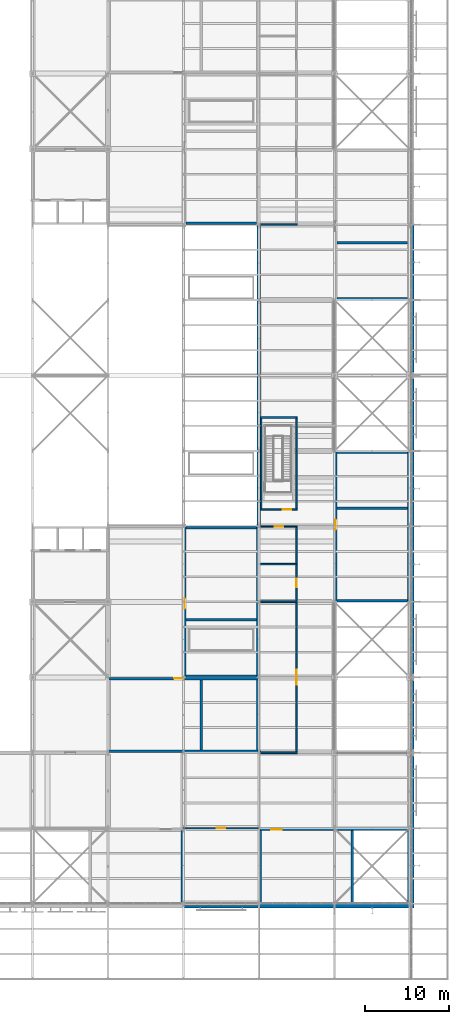
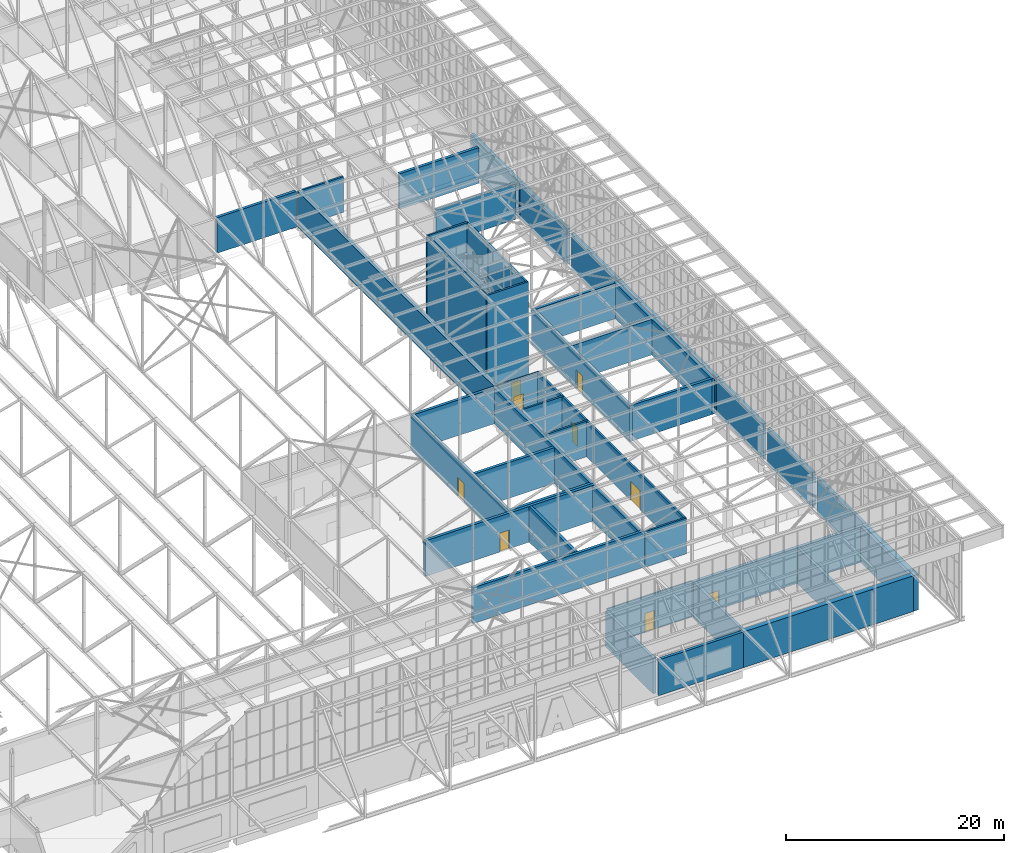
# One storey, part 172 of 646: 48 walls, 9 doors, 9 openings.
"""IFC4 building model written with IfcOpenShell, lengths in metres."""

from ifc_helpers import new_model, si_unit, direction, frame, frame_2d, origin, place, context, subcontext, project, spatial, rectangle, extrude, material, layer, layer_set, type_object, element, fill, save


model = new_model("IFC4")

# Units and contexts
model_context = context("Model", 3, precision=1e-05, world=origin(), true_north=direction((0.0, 1.0)))
body_context = subcontext(model_context, "Body", "Model", "MODEL_VIEW")
ifc_project = project(units=[si_unit("LENGTHUNIT", "METRE"), si_unit("AREAUNIT", "SQUARE_METRE"), si_unit("VOLUMEUNIT", "CUBIC_METRE"), si_unit("PLANEANGLEUNIT", "RADIAN"), si_unit("MASSUNIT", "GRAM", prefix="KILO")], contexts=[model_context])

# Site, building, storey
site_placement = place(None, origin())
site = spatial("IfcSite", under=ifc_project, at=site_placement, CompositionType="ELEMENT")
building_placement = place(site_placement, origin())
building = spatial("IfcBuilding", under=site, at=building_placement, Name="Silverbay Arena", CompositionType="ELEMENT")
storey_placement = place(building_placement, frame((0.0, 0.0, 33.5)))
storey = spatial("IfcBuildingStorey", under=building, at=storey_placement, Name="L05", CompositionType="ELEMENT", Elevation=33.5)

# Walls
ifc_material_1 = material(Name="Anodised aluminium cladding on insulated backing", Category="aluminium")
ifc_layer_1 = layer(ifc_material_1, 0.300048828125)
ifc_layer_set_1 = layer_set([ifc_layer_1], Name="Anodised aluminium cladding on insulated backing")
wall_type_1 = type_object("IfcWallType", Name="Aluminium clad wall 300", PredefinedType="SOLIDWALL", material=ifc_layer_set_1)
wall_1_placement = place(storey_placement, frame((180.0, 17.64990234375, 0.0), z_axis=(0.0, 0.0, 1.0), x_axis=(1.0, 0.0, 0.0)))
element("IfcWall", 1, at=wall_1_placement, inside=storey, type_object=wall_type_1, Name="South external wall L05 bay 15", PredefinedType="SOLIDWALL", context=body_context, shape_type="SweptSolid", body=[
    extrude(rectangle(XDim=9.0, YDim=0.300048828125, at=frame_2d((4.5, 0.0))), origin(), (0.0, 0.0, 1.0), 4.0),
])
wall_2_placement = place(storey_placement, frame((207.35009765625, 27.0, 0.0), z_axis=(0.0, 0.0, 1.0), x_axis=(0.0, 1.0, 0.0)))
element("IfcWall", 2, at=wall_2_placement, inside=storey, type_object=wall_type_1, Name="East external wall L05 bay 2", PredefinedType="SOLIDWALL", context=body_context, shape_type="SweptSolid", body=[
    extrude(rectangle(XDim=8.60009765625, YDim=0.300048828125, at=frame_2d((4.300048828125, 0.0))), origin(), (0.0, 0.0, 1.0), 4.0),
])
wall_3_placement = place(storey_placement, frame((207.35009765625, 36.39990234375, 0.0), z_axis=(0.0, 0.0, 1.0), x_axis=(0.0, 1.0, 0.0)))
element("IfcWall", 3, at=wall_3_placement, inside=storey, type_object=wall_type_1, Name="East external wall L05 bay 3", PredefinedType="SOLIDWALL", context=body_context, shape_type="SweptSolid", body=[
    extrude(rectangle(XDim=8.2001953125, YDim=0.300048828125, at=frame_2d((4.10009765625, 0.0))), origin(), (0.0, 0.0, 1.0), 4.0),
])
for number, where, z_axis, x_axis, name in (
    (4, (207.35009765625, 45.39990234375, 0.0), (0.0, 0.0, 1.0), (0.0, 1.0, 0.0), "East external wall L05 bay 4"),
    (5, (207.35009765625, 72.0, 0.0), (0.0, 0.0, 1.0), (0.0, 1.0, 0.0), "East external wall L05 bay 7"),
    (6, (207.35009765625, 81.39990234375, 0.0), (0.0, 0.0, 1.0), (0.0, 1.0, 0.0), "East external wall L05 bay 8"),
):
    element("IfcWall", number, at=place(storey_placement, frame(where, z_axis=z_axis, x_axis=x_axis)), inside=storey, type_object=wall_type_1, Name=name, PredefinedType="SOLIDWALL", context=body_context, shape_type="SweptSolid", body=[
        extrude(rectangle(XDim=8.60009765625, YDim=0.300048828125, at=frame_2d((4.300048828125, 0.0))), origin(), (0.0, 0.0, 1.0), 4.0),
    ])
ifc_material_2 = material(Name="Concrete Grade C45", Category="concrete")
ifc_layer_2 = layer(ifc_material_2, 0.300048828125)
ifc_layer_set_2 = layer_set([ifc_layer_2], Name="Concrete Grade C45")
wall_type_2 = type_object("IfcWallType", Name="Core wall RC 300 EI 120", PredefinedType="SHEAR", material=ifc_layer_set_2)
wall_4_placement = place(storey_placement, frame((179.85009765625, 26.699951171875, 0.0), z_axis=(0.0, 0.0, 1.0), x_axis=(0.0, -1.0, 0.0)))
element("IfcWall", 7, at=wall_4_placement, inside=storey, type_object=wall_type_2, Name="Core wall ST-S4 L05 end 1", PredefinedType="SHEAR", context=body_context, shape_type="SweptSolid", body=[
    extrude(rectangle(XDim=8.699951171875, YDim=0.300048828125, at=frame_2d((4.35009765625, 0.0))), origin(), (0.0, 0.0, 1.0), 4.0),
])

# Wall, opening, door
wall_5_placement = place(storey_placement, frame((189.0, 26.85009765625, 0.0), z_axis=(0.0, 0.0, 1.0), x_axis=(1.0, 0.0, 0.0)))
wall_5 = element("IfcWall", 8, at=wall_5_placement, inside=storey, type_object=wall_type_2, Name="Core wall ST-S6 L05 door side", PredefinedType="SHEAR", context=body_context, shape_type="SweptSolid", body=[
    extrude(rectangle(XDim=18.0, YDim=0.300048828125, at=frame_2d((9.0, 0.0))), origin(), (0.0, 0.0, 1.0), 4.0),
])
opening_1_placement = place(wall_5_placement, frame((1.5, 0.0, 0.0)))
opening_1 = element("IfcOpeningElement", 9, at=opening_1_placement, cuts=wall_5, Name="Opening L05-036", PredefinedType="OPENING", context=body_context, shape_type="SweptSolid", body=[
    extrude(rectangle(XDim=1.199951171875, YDim=2.10009765625, at=frame_2d((0.60009765625, 1.050048828125))), frame((0.0, 0.16015625, 0.0), z_axis=(0.0, -1.0, 0.0), x_axis=(1.0, 0.0, 0.0)), (0.0, 0.0, 1.0), 0.320068359375),
])
ifc_material_3 = material(Name="Steel fire door", Category="steel")
door_type_1 = type_object("IfcDoorType", Name="Stair door 1200 x 2100 fire door", OperationType="SINGLE_SWING_LEFT", PredefinedType="DOOR", material=ifc_material_3)
door_1_placement = place(opening_1_placement, frame((1.199951171875, 0.0, 0.0), z_axis=(0.0, 0.0, 1.0), x_axis=(-1.0, 0.0, 0.0)))
door_1 = element("IfcDoor", 10, at=door_1_placement, inside=storey, type_object=door_type_1, Name="Stair door ST-S6 L05", OperationType="SINGLE_SWING_RIGHT", OverallHeight=2.10009765625, OverallWidth=1.199951171875, PredefinedType="DOOR", context=body_context, shape_type="SweptSolid", body=[
    extrude(rectangle(XDim=1.199951171875, YDim=2.10009765625, at=frame_2d((0.60009765625, 1.050048828125))), frame((0.0, 0.02490234375, 0.0), z_axis=(0.0, -1.0, 0.0), x_axis=(1.0, 0.0, 0.0)), (0.0, 0.0, 1.0), 0.050048828125),
])
fill(opening_1, door_1)

# Walls
for number, where, z_axis, x_axis, name in (
    (11, (189.14990234375, 26.699951171875, 0.0), (0.0, 0.0, 1.0), (0.0, -1.0, 0.0), "Core wall ST-S6 L05 end 1"),
    (12, (206.85009765625, 26.699951171875, 0.0), (0.0, 0.0, 1.0), (0.0, -1.0, 0.0), "Core wall ST-S6 L05 end 2"),
    (13, (200.14990234375, 26.699951171875, 0.0), (0.0, 0.0, 1.0), (0.0, -1.0, 0.0), "Core wall ST-S6 L05 stair enclosure"),
):
    element("IfcWall", number, at=place(storey_placement, frame(where, z_axis=z_axis, x_axis=x_axis)), inside=storey, type_object=wall_type_2, Name=name, PredefinedType="SHEAR", context=body_context, shape_type="SweptSolid", body=[
        extrude(rectangle(XDim=8.699951171875, YDim=0.300048828125, at=frame_2d((4.35009765625, 0.0))), origin(), (0.0, 0.0, 1.0), 4.0),
    ])

# Wall, opening, door
wall_6_placement = place(storey_placement, frame((198.14990234375, 54.0, 0.0), z_axis=(0.0, 0.0, 1.0), x_axis=(0.0, 1.0, 0.0)))
wall_6 = element("IfcWall", 14, at=wall_6_placement, inside=storey, type_object=wall_type_2, Name="Core wall ST-E1 L05 door side", PredefinedType="SHEAR", context=body_context, shape_type="SweptSolid", body=[
    extrude(rectangle(XDim=18.0, YDim=0.300048828125, at=frame_2d((9.0, 0.0))), origin(), (0.0, 0.0, 1.0), 4.0),
])
opening_2_placement = place(wall_6_placement, frame((8.60009765625, 0.0, 0.0)))
opening_2 = element("IfcOpeningElement", 15, at=opening_2_placement, cuts=wall_6, Name="Opening L05-041", PredefinedType="OPENING", context=body_context, shape_type="SweptSolid", body=[
    extrude(rectangle(XDim=1.199951171875, YDim=2.10009765625, at=frame_2d((0.60009765625, 1.050048828125))), frame((0.0, 0.16015625, 0.0), z_axis=(0.0, -1.0, 0.0), x_axis=(1.0, 0.0, 0.0)), (0.0, 0.0, 1.0), 0.320068359375),
])
door_2_placement = place(opening_2_placement, frame((1.199951171875, 0.0, 0.0), z_axis=(0.0, 0.0, 1.0), x_axis=(-1.0, 0.0, 0.0)))
door_2 = element("IfcDoor", 16, at=door_2_placement, inside=storey, type_object=door_type_1, Name="Stair door ST-E1 L05", OperationType="SINGLE_SWING_LEFT", OverallHeight=2.10009765625, OverallWidth=1.199951171875, PredefinedType="DOOR", context=body_context, shape_type="SweptSolid", body=[
    extrude(rectangle(XDim=1.199951171875, YDim=2.10009765625, at=frame_2d((0.60009765625, 1.050048828125))), frame((0.0, 0.02490234375, 0.0), z_axis=(0.0, -1.0, 0.0), x_axis=(1.0, 0.0, 0.0)), (0.0, 0.0, 1.0), 0.050048828125),
])
fill(opening_2, door_2)

# Walls
wall_7_placement = place(storey_placement, frame((206.85009765625, 54.0, 0.0), z_axis=(0.0, 0.0, 1.0), x_axis=(0.0, 1.0, 0.0)))
element("IfcWall", 17, at=wall_7_placement, inside=storey, type_object=wall_type_2, Name="Core wall ST-E1 L05 far side", PredefinedType="SHEAR", context=body_context, shape_type="SweptSolid", body=[
    extrude(rectangle(XDim=18.0, YDim=0.300048828125, at=frame_2d((9.0, 0.0))), origin(), (0.0, 0.0, 1.0), 4.0),
])
for number, where, z_axis, x_axis, name in (
    (18, (198.300048828125, 54.14990234375, 0.0), (0.0, 0.0, 1.0), (1.0, 0.0, 0.0), "Core wall ST-E1 L05 end 1"),
    (19, (198.300048828125, 71.85009765625, 0.0), (0.0, 0.0, 1.0), (1.0, 0.0, 0.0), "Core wall ST-E1 L05 end 2"),
    (20, (198.300048828125, 65.14990234375, 0.0), (0.0, 0.0, 1.0), (1.0, 0.0, 0.0), "Core wall ST-E1 L05 stair enclosure"),
    (21, (198.300048828125, 90.14990234375, 0.0), (0.0, 0.0, 1.0), (1.0, 0.0, 0.0), "Core wall ST-E2 L05 end 2"),
    (22, (198.300048828125, 96.85009765625, 0.0), (0.0, 0.0, 1.0), (1.0, 0.0, 0.0), "Core wall ST-E2 L05 stair enclosure"),
):
    element("IfcWall", number, at=place(storey_placement, frame(where, z_axis=z_axis, x_axis=x_axis)), inside=storey, type_object=wall_type_2, Name=name, PredefinedType="SHEAR", context=body_context, shape_type="SweptSolid", body=[
        extrude(rectangle(XDim=8.39990234375, YDim=0.300048828125, at=frame_2d((4.199951171875, 0.0))), origin(), (0.0, 0.0, 1.0), 4.0),
    ])

# Wall, opening, door
wall_8_placement = place(storey_placement, frame((171.0, 44.85009765625, 0.0), z_axis=(0.0, 0.0, 1.0), x_axis=(1.0, 0.0, 0.0)))
wall_8 = element("IfcWall", 23, at=wall_8_placement, inside=storey, type_object=wall_type_2, Name="Core wall ST-SE1 L05 door side", PredefinedType="SHEAR", context=body_context, shape_type="SweptSolid", body=[
    extrude(rectangle(XDim=18.0, YDim=0.300048828125, at=frame_2d((9.0, 0.0))), origin(), (0.0, 0.0, 1.0), 4.0),
])
opening_3_placement = place(wall_8_placement, frame((7.89990234375, 0.0, 0.0)))
opening_3 = element("IfcOpeningElement", 24, at=opening_3_placement, cuts=wall_8, Name="Opening L05-045", PredefinedType="OPENING", context=body_context, shape_type="SweptSolid", body=[
    extrude(rectangle(XDim=1.0, YDim=2.10009765625, at=frame_2d((0.5, 1.050048828125))), frame((0.0, 0.16015625, 0.0), z_axis=(0.0, -1.0, 0.0), x_axis=(1.0, 0.0, 0.0)), (0.0, 0.0, 1.0), 0.320068359375),
])
ifc_material_4 = material(Name="Steel fire door", Category="steel")
door_type_2 = type_object("IfcDoorType", Name="Stair door 1000 x 2100 fire door", OperationType="SINGLE_SWING_LEFT", PredefinedType="DOOR", material=ifc_material_4)
door_3_placement = place(opening_3_placement, frame((1.0, 0.0, 0.0), z_axis=(0.0, 0.0, 1.0), x_axis=(-1.0, 0.0, 0.0)))
door_3 = element("IfcDoor", 25, at=door_3_placement, inside=storey, type_object=door_type_2, Name="Stair door ST-SE1 L05", OperationType="SINGLE_SWING_RIGHT", OverallHeight=2.10009765625, OverallWidth=1.0, PredefinedType="DOOR", context=body_context, shape_type="SweptSolid", body=[
    extrude(rectangle(XDim=1.0, YDim=2.10009765625, at=frame_2d((0.5, 1.050048828125))), frame((0.0, 0.02490234375, 0.0), z_axis=(0.0, -1.0, 0.0), x_axis=(1.0, 0.0, 0.0)), (0.0, 0.0, 1.0), 0.050048828125),
])
fill(opening_3, door_3)

# Walls
wall_9_placement = place(storey_placement, frame((171.0, 36.14990234375, 0.0), z_axis=(0.0, 0.0, 1.0), x_axis=(1.0, 0.0, 0.0)))
element("IfcWall", 26, at=wall_9_placement, inside=storey, type_object=wall_type_2, Name="Core wall ST-SE1 L05 far side", PredefinedType="SHEAR", context=body_context, shape_type="SweptSolid", body=[
    extrude(rectangle(XDim=18.199951171875, YDim=0.300048828125, at=frame_2d((9.10009765625, 0.0))), origin(), (0.0, 0.0, 1.0), 4.0),
])
for number, where, z_axis, x_axis, name in (
    (27, (188.85009765625, 44.699951171875, 0.0), (0.0, 0.0, 1.0), (0.0, -1.0, 0.0), "Core wall ST-SE1 L05 end 2"),
    (28, (182.14990234375, 44.699951171875, 0.0), (0.0, 0.0, 1.0), (0.0, -1.0, 0.0), "Core wall ST-SE1 L05 stair enclosure"),
):
    element("IfcWall", number, at=place(storey_placement, frame(where, z_axis=z_axis, x_axis=x_axis)), inside=storey, type_object=wall_type_2, Name=name, PredefinedType="SHEAR", context=body_context, shape_type="SweptSolid", body=[
        extrude(rectangle(XDim=8.39990234375, YDim=0.300048828125, at=frame_2d((4.199951171875, 0.0))), origin(), (0.0, 0.0, 1.0), 4.0),
    ])

# Wall, opening, door
wall_10_placement = place(storey_placement, frame((180.14990234375, 63.0, 0.0), z_axis=(0.0, 0.0, 1.0), x_axis=(0.0, -1.0, 0.0)))
wall_10 = element("IfcWall", 29, at=wall_10_placement, inside=storey, type_object=wall_type_2, Name="Core wall ST-SE2 L05 door side", PredefinedType="SHEAR", context=body_context, shape_type="SweptSolid", body=[
    extrude(rectangle(XDim=18.0, YDim=0.300048828125, at=frame_2d((9.0, 0.0))), origin(), (0.0, 0.0, 1.0), 4.0),
])
opening_4_placement = place(wall_10_placement, frame((8.60009765625, 0.0, 0.0)))
opening_4 = element("IfcOpeningElement", 30, at=opening_4_placement, cuts=wall_10, Name="Opening L05-046", PredefinedType="OPENING", context=body_context, shape_type="SweptSolid", body=[
    extrude(rectangle(XDim=1.199951171875, YDim=2.10009765625, at=frame_2d((0.60009765625, 1.050048828125))), frame((0.0, 0.16015625, 0.0), z_axis=(0.0, -1.0, 0.0), x_axis=(1.0, 0.0, 0.0)), (0.0, 0.0, 1.0), 0.320068359375),
])
door_4_placement = place(opening_4_placement, origin())
door_4 = element("IfcDoor", 31, at=door_4_placement, inside=storey, type_object=door_type_1, Name="Stair door ST-SE2 L05", OperationType="SINGLE_SWING_RIGHT", OverallHeight=2.10009765625, OverallWidth=1.199951171875, PredefinedType="DOOR", context=body_context, shape_type="SweptSolid", body=[
    extrude(rectangle(XDim=1.199951171875, YDim=2.10009765625, at=frame_2d((0.60009765625, 1.050048828125))), frame((0.0, 0.02490234375, 0.0), z_axis=(0.0, -1.0, 0.0), x_axis=(1.0, 0.0, 0.0)), (0.0, 0.0, 1.0), 0.050048828125),
])
fill(opening_4, door_4)

# Walls
wall_11_placement = place(storey_placement, frame((188.85009765625, 63.0, 0.0), z_axis=(0.0, 0.0, 1.0), x_axis=(0.0, -1.0, 0.0)))
element("IfcWall", 32, at=wall_11_placement, inside=storey, type_object=wall_type_2, Name="Core wall ST-SE2 L05 far side", PredefinedType="SHEAR", context=body_context, shape_type="SweptSolid", body=[
    extrude(rectangle(XDim=18.0, YDim=0.300048828125, at=frame_2d((9.0, 0.0))), origin(), (0.0, 0.0, 1.0), 4.0),
])
for number, where, z_axis, x_axis, name in (
    (33, (180.300048828125, 62.85009765625, 0.0), (0.0, 0.0, 1.0), (1.0, 0.0, 0.0), "Core wall ST-SE2 L05 end 1"),
    (34, (180.300048828125, 45.14990234375, 0.0), (0.0, 0.0, 1.0), (1.0, 0.0, 0.0), "Core wall ST-SE2 L05 end 2"),
    (35, (180.300048828125, 51.85009765625, 0.0), (0.0, 0.0, 1.0), (1.0, 0.0, 0.0), "Core wall ST-SE2 L05 stair enclosure"),
    (36, (180.300048828125, 99.14990234375, 0.0), (0.0, 0.0, 1.0), (1.0, 0.0, 0.0), "Core wall ST-NE2 L05 end 1"),
):
    element("IfcWall", number, at=place(storey_placement, frame(where, z_axis=z_axis, x_axis=x_axis)), inside=storey, type_object=wall_type_2, Name=name, PredefinedType="SHEAR", context=body_context, shape_type="SweptSolid", body=[
        extrude(rectangle(XDim=8.39990234375, YDim=0.300048828125, at=frame_2d((4.199951171875, 0.0))), origin(), (0.0, 0.0, 1.0), 4.0),
    ])
ifc_material_5 = material(Name="Concrete Grade C45", Category="concrete")
ifc_layer_3 = layer(ifc_material_5, 0.5)
ifc_layer_set_3 = layer_set([ifc_layer_3], Name="Concrete Grade C45")
wall_type_3 = type_object("IfcWallType", Name="Core wall RC 500 external EI 120", PredefinedType="SHEAR", material=ifc_layer_set_3)
wall_12_placement = place(storey_placement, frame((189.0, 17.75, 0.0), z_axis=(0.0, 0.0, 1.0), x_axis=(1.0, 0.0, 0.0)))
element("IfcWall", 37, at=wall_12_placement, inside=storey, type_object=wall_type_3, Name="Core wall ST-S6 L05 facade side", PredefinedType="SHEAR", context=body_context, shape_type="SweptSolid", body=[
    extrude(rectangle(XDim=18.0, YDim=0.5, at=frame_2d((9.0, 0.0))), origin(), (0.0, 0.0, 1.0), 4.0),
])

# Wall, opening, door
ifc_material_6 = material(Name="Gypsum board partition on steel studs", Category="steel")
ifc_layer_4 = layer(ifc_material_6, 0.14990234375)
ifc_layer_set_4 = layer_set([ifc_layer_4], Name="Gypsum board partition on steel studs")
wall_type_4 = type_object("IfcWallType", Name="Partition 150 EI 60", PredefinedType="PARTITIONING", material=ifc_layer_set_4)
wall_13_placement = place(storey_placement, frame((180.0, 27.0, 0.0), z_axis=(0.0, 0.0, 1.0), x_axis=(1.0, 0.0, 0.0)))
wall_13 = element("IfcWall", 38, at=wall_13_placement, inside=storey, type_object=wall_type_4, Name="Partition wall", PredefinedType="PARTITIONING", context=body_context, shape_type="SweptSolid", body=[
    extrude(rectangle(XDim=9.0, YDim=0.14990234375, at=frame_2d((4.5, 0.0))), origin(), (0.0, 0.0, 1.0), 4.0),
])
opening_5_placement = place(wall_13_placement, frame((4.0, 0.0, 0.0)))
opening_5 = element("IfcOpeningElement", 39, at=opening_5_placement, cuts=wall_13, Name="Opening L05-003", PredefinedType="OPENING", context=body_context, shape_type="SweptSolid", body=[
    extrude(rectangle(XDim=1.0, YDim=2.10009765625, at=frame_2d((0.5, 1.050048828125))), frame((0.0, 0.0849609375, 0.0), z_axis=(0.0, -1.0, 0.0), x_axis=(1.0, 0.0, 0.0)), (0.0, 0.0, 1.0), 0.169921875),
])
ifc_material_7 = material(Name="Steel faced timber", Category="steel")
door_type_3 = type_object("IfcDoorType", Name="Single leaf door 1000 x 2100 FD30S", OperationType="SINGLE_SWING_LEFT", PredefinedType="DOOR", material=ifc_material_7)
door_5_placement = place(opening_5_placement, frame((1.0, 0.0, 0.0), z_axis=(0.0, 0.0, 1.0), x_axis=(-1.0, 0.0, 0.0)))
door_5 = element("IfcDoor", 40, at=door_5_placement, inside=storey, type_object=door_type_3, Name="Door L05-003", OperationType="SINGLE_SWING_RIGHT", OverallHeight=2.10009765625, OverallWidth=1.0, PredefinedType="DOOR", context=body_context, shape_type="SweptSolid", body=[
    extrude(rectangle(XDim=1.0, YDim=2.10009765625, at=frame_2d((0.5, 1.050048828125))), frame((0.0, 0.02490234375, 0.0), z_axis=(0.0, -1.0, 0.0), x_axis=(1.0, 0.0, 0.0)), (0.0, 0.0, 1.0), 0.050048828125),
])
fill(opening_5, door_5)

wall_14_placement = place(storey_placement, frame((189.199951171875, 63.0, 0.0), z_axis=(0.0, 0.0, 1.0), x_axis=(1.0, 0.0, 0.0)))
wall_14 = element("IfcWall", 41, at=wall_14_placement, inside=storey, type_object=wall_type_4, Name="Partition wall", PredefinedType="PARTITIONING", context=body_context, shape_type="SweptSolid", body=[
    extrude(rectangle(XDim=4.400146484375, YDim=0.14990234375, at=frame_2d((2.2001953125, 0.0))), origin(), (0.0, 0.0, 1.0), 4.0),
])
opening_6_placement = place(wall_14_placement, frame((1.699951171875, 0.0, 0.0)))
opening_6 = element("IfcOpeningElement", 42, at=opening_6_placement, cuts=wall_14, Name="Opening L05-015", PredefinedType="OPENING", context=body_context, shape_type="SweptSolid", body=[
    extrude(rectangle(XDim=1.0, YDim=2.10009765625, at=frame_2d((0.5, 1.050048828125))), frame((0.0, 0.0849609375, 0.0), z_axis=(0.0, -1.0, 0.0), x_axis=(1.0, 0.0, 0.0)), (0.0, 0.0, 1.0), 0.169921875),
])
door_6_placement = place(opening_6_placement, frame((1.0, 0.0, 0.0), z_axis=(0.0, 0.0, 1.0), x_axis=(-1.0, 0.0, 0.0)))
door_6 = element("IfcDoor", 43, at=door_6_placement, inside=storey, type_object=door_type_3, Name="Door L05-015", OperationType="SINGLE_SWING_RIGHT", OverallHeight=2.10009765625, OverallWidth=1.0, PredefinedType="DOOR", context=body_context, shape_type="SweptSolid", body=[
    extrude(rectangle(XDim=1.0, YDim=2.10009765625, at=frame_2d((0.5, 1.050048828125))), frame((0.0, 0.02490234375, 0.0), z_axis=(0.0, -1.0, 0.0), x_axis=(1.0, 0.0, 0.0)), (0.0, 0.0, 1.0), 0.050048828125),
])
fill(opening_6, door_6)

# Walls
ifc_material_8 = material(Name="Masonry blockwork partition", Category="masonry")
ifc_layer_5 = layer(ifc_material_8, 0.199951171875)
ifc_layer_set_5 = layer_set([ifc_layer_5], Name="Masonry blockwork partition")
wall_type_5 = type_object("IfcWallType", Name="Partition 200 EI 120", PredefinedType="PARTITIONING", material=ifc_layer_set_5)
for number, where, z_axis, x_axis, name in (
    (44, (189.199951171875, 36.0, 0.0), (0.0, 0.0, 1.0), (1.0, 0.0, 0.0), "Partition wall"),
    (45, (189.199951171875, 54.0, 0.0), (0.0, 0.0, 1.0), (1.0, 0.0, 0.0), "Partition wall"),
    (46, (189.199951171875, 58.5, 0.0), (0.0, 0.0, 1.0), (1.0, 0.0, 0.0), "Partition wall"),
):
    element("IfcWall", number, at=place(storey_placement, frame(where, z_axis=z_axis, x_axis=x_axis)), inside=storey, type_object=wall_type_5, Name=name, PredefinedType="PARTITIONING", context=body_context, shape_type="SweptSolid", body=[
        extrude(rectangle(XDim=4.400146484375, YDim=0.199951171875, at=frame_2d((2.2001953125, 0.0))), origin(), (0.0, 0.0, 1.0), 4.0),
    ])

# Wall, opening, door
wall_15_placement = place(storey_placement, frame((189.199951171875, 65.0, 0.0), z_axis=(0.0, 0.0, 1.0), x_axis=(1.0, 0.0, 0.0)))
wall_15 = element("IfcWall", 47, at=wall_15_placement, inside=storey, type_object=wall_type_5, Name="Partition wall", PredefinedType="PARTITIONING", context=body_context, shape_type="SweptSolid", body=[
    extrude(rectangle(XDim=4.400146484375, YDim=0.199951171875, at=frame_2d((2.2001953125, 0.0))), origin(), (0.0, 0.0, 1.0), 12.85009765625),
])
opening_7_placement = place(wall_15_placement, frame((2.64990234375, 0.0, 0.0)))
opening_7 = element("IfcOpeningElement", 48, at=opening_7_placement, cuts=wall_15, Name="Opening L05-020", PredefinedType="OPENING", context=body_context, shape_type="SweptSolid", body=[
    extrude(rectangle(XDim=1.0, YDim=2.10009765625, at=frame_2d((0.5, 1.050048828125))), frame((0.0, 0.10986328125, 0.0), z_axis=(0.0, -1.0, 0.0), x_axis=(1.0, 0.0, 0.0)), (0.0, 0.0, 1.0), 0.219970703125),
])
ifc_material_9 = material(Name="Steel faced timber", Category="steel")
door_type_4 = type_object("IfcDoorType", Name="Single leaf door 1000 x 2100 FD60", OperationType="SINGLE_SWING_LEFT", PredefinedType="DOOR", material=ifc_material_9)
door_7_placement = place(opening_7_placement, frame((1.0, 0.0, 0.0), z_axis=(0.0, 0.0, 1.0), x_axis=(-1.0, 0.0, 0.0)))
door_7 = element("IfcDoor", 49, at=door_7_placement, inside=storey, type_object=door_type_4, Name="Door L05-020", OperationType="SINGLE_SWING_LEFT", OverallHeight=2.10009765625, OverallWidth=1.0, PredefinedType="DOOR", context=body_context, shape_type="SweptSolid", body=[
    extrude(rectangle(XDim=1.0, YDim=2.10009765625, at=frame_2d((0.5, 1.050048828125))), frame((0.0, 0.02490234375, 0.0), z_axis=(0.0, -1.0, 0.0), x_axis=(1.0, 0.0, 0.0)), (0.0, 0.0, 1.0), 0.050048828125),
])
fill(opening_7, door_7)

# Walls
wall_16_placement = place(storey_placement, frame((189.199951171875, 76.0, 0.0), z_axis=(0.0, 0.0, 1.0), x_axis=(1.0, 0.0, 0.0)))
element("IfcWall", 50, at=wall_16_placement, inside=storey, type_object=wall_type_5, Name="Partition wall", PredefinedType="PARTITIONING", context=body_context, shape_type="SweptSolid", body=[
    extrude(rectangle(XDim=4.400146484375, YDim=0.199951171875, at=frame_2d((2.2001953125, 0.0))), origin(), (0.0, 0.0, 1.0), 12.85009765625),
])
wall_17_placement = place(storey_placement, frame((189.199951171875, 99.0, 0.0), z_axis=(0.0, 0.0, 1.0), x_axis=(1.0, 0.0, 0.0)))
element("IfcWall", 51, at=wall_17_placement, inside=storey, type_object=wall_type_5, Name="Partition wall", PredefinedType="PARTITIONING", context=body_context, shape_type="SweptSolid", body=[
    extrude(rectangle(XDim=4.400146484375, YDim=0.199951171875, at=frame_2d((2.2001953125, 0.0))), origin(), (0.0, 0.0, 1.0), 4.0),
])

# Wall, opening, door
wall_18_placement = place(storey_placement, frame((193.5, 36.10009765625, 0.0), z_axis=(0.0, 0.0, 1.0), x_axis=(0.0, 1.0, 0.0)))
wall_18 = element("IfcWall", 52, at=wall_18_placement, inside=storey, type_object=wall_type_5, Name="Partition wall", PredefinedType="PARTITIONING", context=body_context, shape_type="SweptSolid", body=[
    extrude(rectangle(XDim=17.7998046875, YDim=0.199951171875, at=frame_2d((8.89990234375, 0.0))), origin(), (0.0, 0.0, 1.0), 4.0),
])
opening_8_placement = place(wall_18_placement, frame((8.0, 0.0, 0.0)))
opening_8 = element("IfcOpeningElement", 53, at=opening_8_placement, cuts=wall_18, Name="Opening L05-013", PredefinedType="OPENING", context=body_context, shape_type="SweptSolid", body=[
    extrude(rectangle(XDim=1.800048828125, YDim=2.10009765625, at=frame_2d((0.89990234375, 1.050048828125))), frame((0.0, 0.10986328125, 0.0), z_axis=(0.0, -1.0, 0.0), x_axis=(1.0, 0.0, 0.0)), (0.0, 0.0, 1.0), 0.219970703125),
])
ifc_material_10 = material(Name="Steel faced timber", Category="steel")
door_type_5 = type_object("IfcDoorType", Name="Double leaf door 1800 x 2100 FD120", OperationType="DOUBLE_DOOR_DOUBLE_SWING", PredefinedType="DOOR", material=ifc_material_10)
door_8_placement = place(opening_8_placement, origin())
door_8 = element("IfcDoor", 54, at=door_8_placement, inside=storey, type_object=door_type_5, Name="Door L05-013", OperationType="DOUBLE_DOOR_DOUBLE_SWING", OverallHeight=2.10009765625, OverallWidth=1.800048828125, PredefinedType="DOOR", context=body_context, shape_type="SweptSolid", body=[
    extrude(rectangle(XDim=1.800048828125, YDim=2.10009765625, at=frame_2d((0.89990234375, 1.050048828125))), frame((0.0, 0.02490234375, 0.0), z_axis=(0.0, -1.0, 0.0), x_axis=(1.0, 0.0, 0.0)), (0.0, 0.0, 1.0), 0.050048828125),
])
fill(opening_8, door_8)

wall_19_placement = place(storey_placement, frame((193.5, 54.10009765625, 0.0), z_axis=(0.0, 0.0, 1.0), x_axis=(0.0, 1.0, 0.0)))
wall_19 = element("IfcWall", 55, at=wall_19_placement, inside=storey, type_object=wall_type_5, Name="Partition wall", PredefinedType="PARTITIONING", context=body_context, shape_type="SweptSolid", body=[
    extrude(rectangle(XDim=4.2998046875, YDim=0.199951171875, at=frame_2d((2.14990234375, 0.0))), origin(), (0.0, 0.0, 1.0), 4.0),
])
opening_9_placement = place(wall_19_placement, frame((1.64990234375, 0.0, 0.0)))
opening_9 = element("IfcOpeningElement", 56, at=opening_9_placement, cuts=wall_19, Name="Opening L05-014", PredefinedType="OPENING", context=body_context, shape_type="SweptSolid", body=[
    extrude(rectangle(XDim=1.0, YDim=2.10009765625, at=frame_2d((0.5, 1.050048828125))), frame((0.0, 0.10986328125, 0.0), z_axis=(0.0, -1.0, 0.0), x_axis=(1.0, 0.0, 0.0)), (0.0, 0.0, 1.0), 0.219970703125),
])
ifc_material_11 = material(Name="Steel faced timber", Category="steel")
door_type_6 = type_object("IfcDoorType", Name="Single leaf door 1000 x 2100 FD120", OperationType="SINGLE_SWING_LEFT", PredefinedType="DOOR", material=ifc_material_11)
door_9_placement = place(opening_9_placement, origin())
door_9 = element("IfcDoor", 57, at=door_9_placement, inside=storey, type_object=door_type_6, Name="Door L05-014", OperationType="SINGLE_SWING_RIGHT", OverallHeight=2.10009765625, OverallWidth=1.0, PredefinedType="DOOR", context=body_context, shape_type="SweptSolid", body=[
    extrude(rectangle(XDim=1.0, YDim=2.10009765625, at=frame_2d((0.5, 1.050048828125))), frame((0.0, 0.02490234375, 0.0), z_axis=(0.0, -1.0, 0.0), x_axis=(1.0, 0.0, 0.0)), (0.0, 0.0, 1.0), 0.050048828125),
])
fill(opening_9, door_9)

# Walls
wall_20_placement = place(storey_placement, frame((193.5, 65.10009765625, 0.0), z_axis=(0.0, 0.0, 1.0), x_axis=(0.0, 1.0, 0.0)))
element("IfcWall", 58, at=wall_20_placement, inside=storey, type_object=wall_type_5, Name="Partition wall", PredefinedType="PARTITIONING", context=body_context, shape_type="SweptSolid", body=[
    extrude(rectangle(XDim=6.89990234375, YDim=0.199951171875, at=frame_2d((3.449951171875, 0.0))), origin(), (0.0, 0.0, 1.0), 12.85009765625),
])
wall_21_placement = place(storey_placement, frame((193.5, 72.0, 0.0), z_axis=(0.0, 0.0, 1.0), x_axis=(0.0, 1.0, 0.0)))
element("IfcWall", 59, at=wall_21_placement, inside=storey, type_object=wall_type_5, Name="Partition wall", PredefinedType="PARTITIONING", context=body_context, shape_type="SweptSolid", body=[
    extrude(rectangle(XDim=3.89990234375, YDim=0.199951171875, at=frame_2d((1.949951171875, 0.0))), origin(), (0.0, 0.0, 1.0), 12.85009765625),
])
ifc_material_12 = material(Name="Gypsum board partition on steel studs", Category="steel")
ifc_layer_6 = layer(ifc_material_12, 0.199951171875)
ifc_layer_set_6 = layer_set([ifc_layer_6], Name="Gypsum board partition on steel studs")
wall_type_6 = type_object("IfcWallType", Name="Partition 200 EI 60", PredefinedType="PARTITIONING", material=ifc_layer_set_6)
wall_22_placement = place(storey_placement, frame((193.5, 58.60009765625, 0.0), z_axis=(0.0, 0.0, 1.0), x_axis=(0.0, 1.0, 0.0)))
element("IfcWall", 60, at=wall_22_placement, inside=storey, type_object=wall_type_6, Name="Partition wall", PredefinedType="PARTITIONING", context=body_context, shape_type="SweptSolid", body=[
    extrude(rectangle(XDim=4.324951171875, YDim=0.199951171875, at=frame_2d((2.16259765625, 0.0))), origin(), (0.0, 0.0, 1.0), 4.0),
])
ifc_material_13 = material(Name="Concrete Grade C45", Category="concrete")
ifc_layer_7 = layer(ifc_material_13, 0.39990234375)
ifc_layer_set_7 = layer_set([ifc_layer_7], Name="Concrete Grade C45")
wall_type_7 = type_object("IfcWallType", Name="RC back wall 400 EI 120", PredefinedType="SOLIDWALL", material=ifc_layer_set_7)
wall_23_placement = place(storey_placement, frame((189.0, 63.0, 0.0), z_axis=(0.0, 0.0, 1.0), x_axis=(0.0, 1.0, 0.0)))
element("IfcWall", 61, at=wall_23_placement, inside=storey, type_object=wall_type_7, Name="Bowl back wall L05 02", PredefinedType="SOLIDWALL", context=body_context, shape_type="SweptSolid", body=[
    extrude(rectangle(XDim=36.0, YDim=0.39990234375, at=frame_2d((18.0, 0.0))), origin(), (0.0, 0.0, 1.0), 4.0),
])
ifc_material_14 = material(Name="Mineral board on steel studs", Category="steel")
ifc_layer_8 = layer(ifc_material_14, 0.14990234375)
ifc_layer_set_8 = layer_set([ifc_layer_8], Name="Mineral board on steel studs")
wall_type_8 = type_object("IfcWallType", Name="Shaft wall panel 150 EI 120", PredefinedType="SOLIDWALL", material=ifc_layer_set_8)
wall_24_placement = place(storey_placement, frame((189.27490234375, 65.10009765625, 0.0), z_axis=(0.0, 0.0, 1.0), x_axis=(0.0, 1.0, 0.0)))
element("IfcWall", 62, at=wall_24_placement, inside=storey, type_object=wall_type_8, Name="Stair RA2 shaft wall E", PredefinedType="SOLIDWALL", context=body_context, shape_type="SweptSolid", body=[
    extrude(rectangle(XDim=10.7998046875, YDim=0.14990234375, at=frame_2d((5.39990234375, 0.0))), origin(), (0.0, 0.0, 1.0), 12.85009765625),
])
ifc_material_15 = material(Name="Concrete Grade C45", Category="concrete")
ifc_layer_9 = layer(ifc_material_15, 0.35009765625)
ifc_layer_set_9 = layer_set([ifc_layer_9], Name="Concrete Grade C45")
wall_type_9 = type_object("IfcWallType", Name="Stair core facade wall 350", PredefinedType="SOLIDWALL", material=ifc_layer_set_9)
for number, where, z_axis, x_axis, name in (
    (63, (207.324951171875, 54.0, 0.0), (0.0, 0.0, 1.0), (0.0, 1.0, 0.0), "East external wall L05 bay 5"),
    (64, (207.324951171875, 63.0, 0.0), (0.0, 0.0, 1.0), (0.0, 1.0, 0.0), "East external wall L05 bay 6"),
    (65, (207.324951171875, 90.0, 0.0), (0.0, 0.0, 1.0), (0.0, 1.0, 0.0), "East external wall L05 bay 9"),
):
    element("IfcWall", number, at=place(storey_placement, frame(where, z_axis=z_axis, x_axis=x_axis)), inside=storey, type_object=wall_type_9, Name=name, PredefinedType="SOLIDWALL", context=body_context, shape_type="SweptSolid", body=[
        extrude(rectangle(XDim=9.0, YDim=0.35009765625, at=frame_2d((4.5, 0.0))), origin(), (0.0, 0.0, 1.0), 4.0),
    ])
ifc_material_16 = material(Name="Concrete Grade C45", Category="concrete")
ifc_layer_10 = layer(ifc_material_16, 0.5)
ifc_layer_set_10 = layer_set([ifc_layer_10], Name="Concrete Grade C45")
wall_type_10 = type_object("IfcWallType", Name="Stair core facade wall 500", PredefinedType="SOLIDWALL", material=ifc_layer_set_10)
wall_25_placement = place(storey_placement, frame((207.25, 17.5, 0.0), z_axis=(0.0, 0.0, 1.0), x_axis=(0.0, 1.0, 0.0)))
element("IfcWall", 66, at=wall_25_placement, inside=storey, type_object=wall_type_10, Name="East stair core facade wall L05 bay 1", PredefinedType="SOLIDWALL", context=body_context, shape_type="SweptSolid", body=[
    extrude(rectangle(XDim=9.5, YDim=0.5, at=frame_2d((4.75, 0.0))), origin(), (0.0, 0.0, 1.0), 4.0),
])

save(model, "model.ifc")
